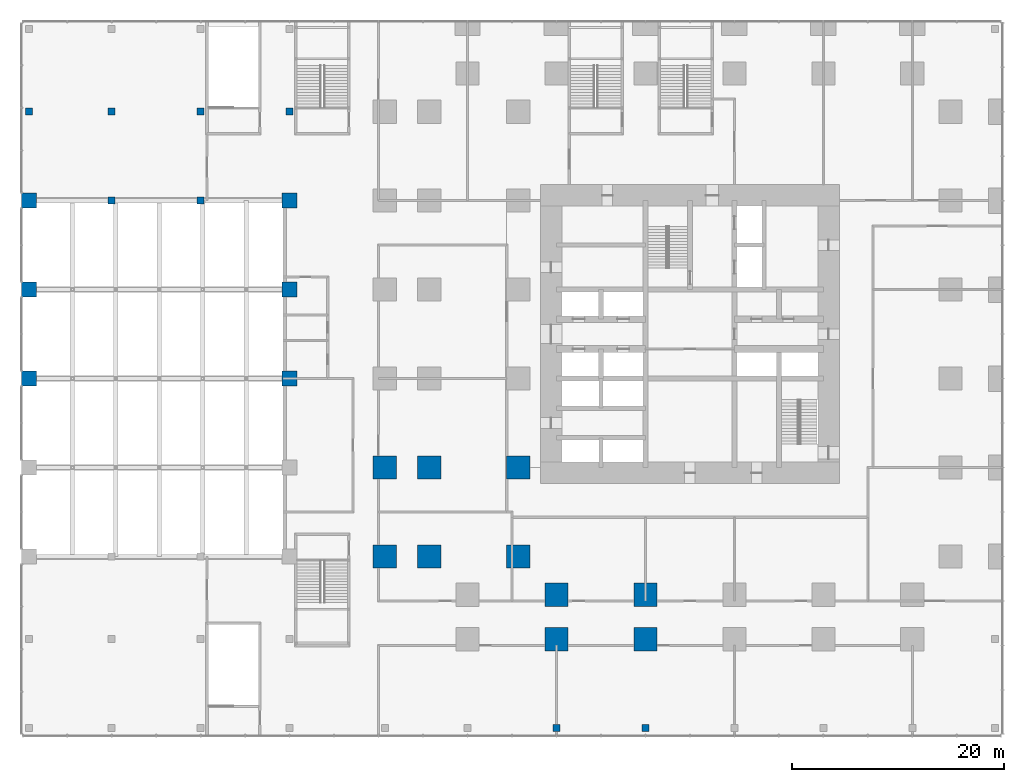
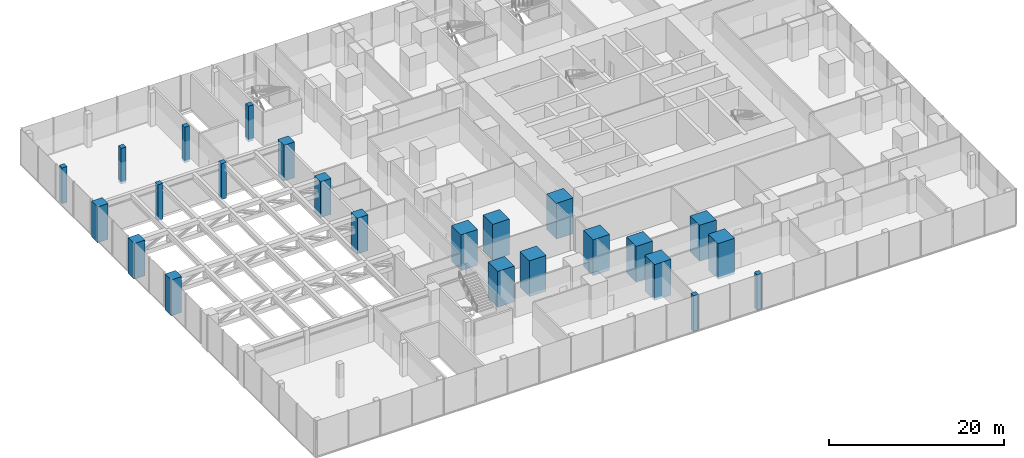
# One storey, part 5 of 33: 24 columns.
"""IFC4 building model written with IfcOpenShell, lengths in metres."""

from ifc_helpers import new_model, si_unit, direction, frame, origin, origin_2d, place, context, subcontext, project, spatial, rectangle, extrude, material, material_profile, profile_set, type_object, element, save


model = new_model("IFC4")

# Units and contexts
model_context = context("Model", 3, precision=1e-05, world=origin(), true_north=direction((0.0, 1.0)))
body_context = subcontext(model_context, "Body", "Model", "MODEL_VIEW")
ifc_project = project(units=[si_unit("LENGTHUNIT", "METRE"), si_unit("AREAUNIT", "SQUARE_METRE"), si_unit("VOLUMEUNIT", "CUBIC_METRE"), si_unit("PLANEANGLEUNIT", "RADIAN"), si_unit("MASSUNIT", "GRAM", prefix="KILO")], contexts=[model_context])

# Site, building, storey
site_placement = place(None, origin())
site = spatial("IfcSite", under=ifc_project, at=site_placement, CompositionType="ELEMENT")
building_placement = place(site_placement, origin())
building = spatial("IfcBuilding", under=site, at=building_placement, Name="Dunama Terrace Hotel", CompositionType="ELEMENT")
storey_placement = place(building_placement, frame((0.0, 0.0, 12.0)))
storey = spatial("IfcBuildingStorey", under=building, at=storey_placement, Name="L02", CompositionType="ELEMENT", Elevation=12.0)

# Columns
ifc_material_1 = material(Name="Concrete C50/60", Category="concrete")
ifc_material_profile_1 = material_profile(ifc_material_1, rectangle(XDim=1.39990234375, YDim=1.39990234375, at=origin_2d()), Name="RC 1400x1400")
ifc_profile_set_1 = profile_set([ifc_material_profile_1], Name="Concrete C50/60")
column_type_1 = type_object("IfcColumnType", Name="Column RC 1400x1400", PredefinedType="COLUMN", material=ifc_profile_set_1)
for number, where, z_axis, x_axis, name in (
    (1, (-33.0, 25.199951171875, -0.300048828125), (0.0, 0.0, 1.0), (1.0, 0.0, 0.0), "Column L02 -33.0/+25.2"),
    (2, (-33.0, 33.60009765625, -0.300048828125), (0.0, 0.0, 1.0), (1.0, 0.0, 0.0), "Column L02 -33.0/+33.6"),
    (3, (-33.0, 42.0, -0.300048828125), (0.0, 0.0, 1.0), (1.0, 0.0, 0.0), "Column L02 -33.0/+42.0"),
    (4, (-8.39990234375, 25.199951171875, -0.300048828125), (0.0, 0.0, 1.0), (1.0, 0.0, 0.0), "Column L02 -8.4/+25.2"),
    (5, (-8.39990234375, 33.60009765625, -0.300048828125), (0.0, 0.0, 1.0), (1.0, 0.0, 0.0), "Column L02 -8.4/+33.6"),
    (6, (-8.39990234375, 42.0, -0.300048828125), (0.0, 0.0, 1.0), (1.0, 0.0, 0.0), "Column L02 -8.4/+42.0"),
):
    element("IfcColumn", number, at=place(storey_placement, frame(where, z_axis=z_axis, x_axis=x_axis)), inside=storey, type_object=column_type_1, Name=name, PredefinedType="COLUMN", context=body_context, shape_type="SweptSolid", body=[
        extrude(rectangle(XDim=1.39990234375, YDim=1.39990234375, at=origin_2d()), origin(), (0.0, 0.0, 1.0), 5.0),
    ])
ifc_material_2 = material(Name="Concrete C60/75", Category="concrete")
ifc_material_profile_2 = material_profile(ifc_material_2, rectangle(XDim=2.199951171875, YDim=2.199951171875, at=origin_2d()), Name="RC 2200x2200")
ifc_profile_set_2 = profile_set([ifc_material_profile_2], Name="Concrete C60/75")
column_type_2 = type_object("IfcColumnType", Name="Column RC 2200x2200", PredefinedType="COLUMN", material=ifc_profile_set_2)
for number, where, z_axis, x_axis, name in (
    (7, (0.60009765625, 8.39990234375, -0.300048828125), (0.0, 0.0, 1.0), (1.0, 0.0, 0.0), "Column L02 +0.6/+8.4"),
    (8, (0.60009765625, 16.800048828125, -0.300048828125), (0.0, 0.0, 1.0), (1.0, 0.0, 0.0), "Column L02 +0.6/+16.8"),
    (9, (4.800048828125, 8.39990234375, -0.300048828125), (0.0, 0.0, 1.0), (1.0, 0.0, 0.0), "Column L02 +4.8/+8.4"),
    (10, (4.800048828125, 16.800048828125, -0.300048828125), (0.0, 0.0, 1.0), (1.0, 0.0, 0.0), "Column L02 +4.8/+16.8"),
    (11, (13.199951171875, 8.39990234375, -0.300048828125), (0.0, 0.0, 1.0), (1.0, 0.0, 0.0), "Column L02 +13.2/+8.4"),
    (12, (13.199951171875, 16.800048828125, -0.300048828125), (0.0, 0.0, 1.0), (1.0, 0.0, 0.0), "Column L02 +13.2/+16.8"),
    (13, (16.800048828125, 0.60009765625, -0.300048828125), (0.0, 0.0, 1.0), (1.0, 0.0, 0.0), "Column L02 +16.8/+0.6"),
    (14, (16.800048828125, 4.800048828125, -0.300048828125), (0.0, 0.0, 1.0), (1.0, 0.0, 0.0), "Column L02 +16.8/+4.8"),
    (15, (25.199951171875, 0.60009765625, -0.300048828125), (0.0, 0.0, 1.0), (1.0, 0.0, 0.0), "Column L02 +25.2/+0.6"),
    (16, (25.199951171875, 4.800048828125, -0.300048828125), (0.0, 0.0, 1.0), (1.0, 0.0, 0.0), "Column L02 +25.2/+4.8"),
):
    element("IfcColumn", number, at=place(storey_placement, frame(where, z_axis=z_axis, x_axis=x_axis)), inside=storey, type_object=column_type_2, Name=name, PredefinedType="COLUMN", context=body_context, shape_type="SweptSolid", body=[
        extrude(rectangle(XDim=2.199951171875, YDim=2.199951171875, at=origin_2d()), origin(), (0.0, 0.0, 1.0), 5.0),
    ])
ifc_material_3 = material(Name="Concrete C40/50", Category="concrete")
ifc_material_profile_3 = material_profile(ifc_material_3, rectangle(XDim=0.64990234375, YDim=0.64990234375, at=origin_2d()), Name="RC 650x650")
ifc_profile_set_3 = profile_set([ifc_material_profile_3], Name="Concrete C40/50")
column_type_3 = type_object("IfcColumnType", Name="Column RC 650x650", PredefinedType="COLUMN", material=ifc_profile_set_3)
for number, where, z_axis, x_axis, name in (
    (17, (-33.0, 50.39990234375, -0.300048828125), (0.0, 0.0, 1.0), (1.0, 0.0, 0.0), "Column L02 -33.0/+50.4"),
    (18, (-25.199951171875, 42.0, -0.300048828125), (0.0, 0.0, 1.0), (1.0, 0.0, 0.0), "Column L02 -25.2/+42.0"),
    (19, (-25.199951171875, 50.39990234375, -0.300048828125), (0.0, 0.0, 1.0), (1.0, 0.0, 0.0), "Column L02 -25.2/+50.4"),
    (20, (-16.800048828125, 42.0, -0.300048828125), (0.0, 0.0, 1.0), (1.0, 0.0, 0.0), "Column L02 -16.8/+42.0"),
    (21, (-16.800048828125, 50.39990234375, -0.300048828125), (0.0, 0.0, 1.0), (1.0, 0.0, 0.0), "Column L02 -16.8/+50.4"),
    (22, (-8.39990234375, 50.39990234375, -0.300048828125), (0.0, 0.0, 1.0), (1.0, 0.0, 0.0), "Column L02 -8.4/+50.4"),
    (23, (16.800048828125, -7.800048828125, -0.300048828125), (0.0, 0.0, 1.0), (1.0, 0.0, 0.0), "Column L02 +16.8/-7.8"),
    (24, (25.199951171875, -7.800048828125, -0.300048828125), (0.0, 0.0, 1.0), (1.0, 0.0, 0.0), "Column L02 +25.2/-7.8"),
):
    element("IfcColumn", number, at=place(storey_placement, frame(where, z_axis=z_axis, x_axis=x_axis)), inside=storey, type_object=column_type_3, Name=name, PredefinedType="COLUMN", context=body_context, shape_type="SweptSolid", body=[
        extrude(rectangle(XDim=0.64990234375, YDim=0.64990234375, at=origin_2d()), origin(), (0.0, 0.0, 1.0), 5.0),
    ])

save(model, "model.ifc")
